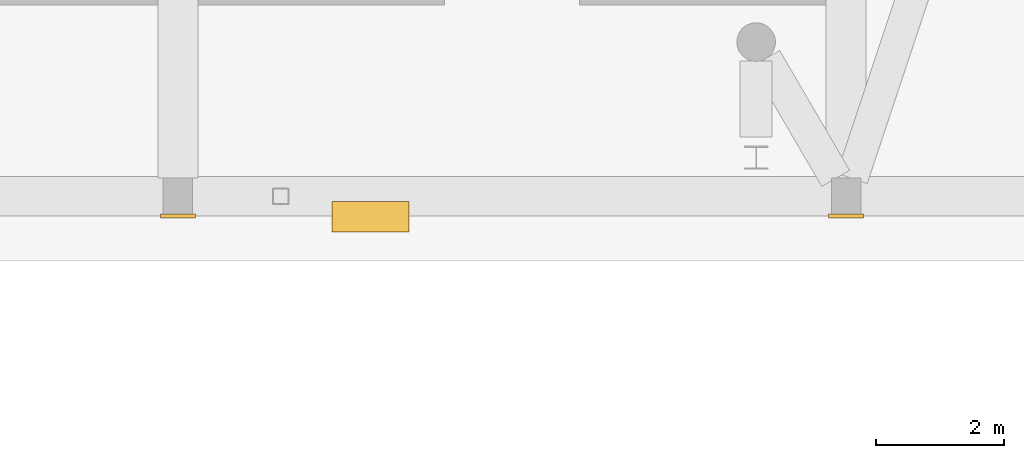
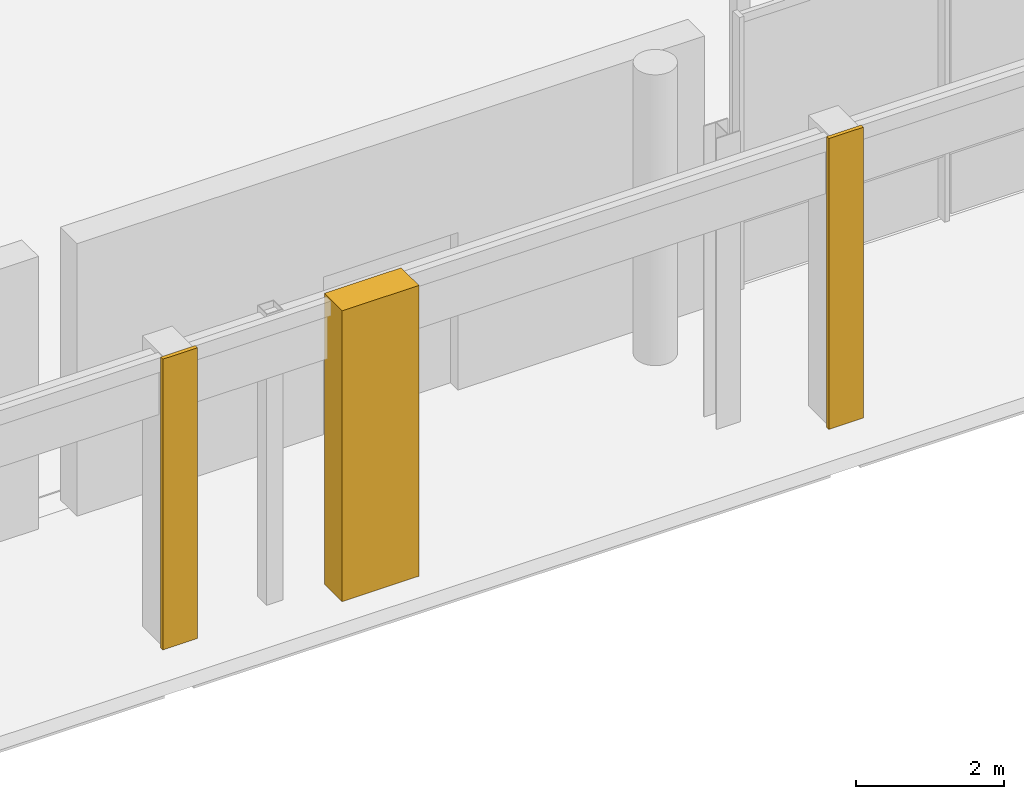
# One storey, part 80 of 88: 3 coverings.
"""IFC4 building model written with IfcOpenShell, lengths in metres."""

from ifc_helpers import new_model, si_unit, derived_unit, direction, frame, origin, origin_2d, place, context, subcontext, project, spatial, rectangle, extrude, material, layer, layer_set, type_object, element, save


model = new_model("IFC4")

# Units and contexts
model_context = context("Model", 3, precision=1e-05, world=origin(), true_north=direction((0.0, 1.0)))
body_context = subcontext(model_context, "Body", "Model", "MODEL_VIEW")
ifc_project = project(units=[si_unit("LENGTHUNIT", "METRE"), si_unit("AREAUNIT", "SQUARE_METRE"), si_unit("VOLUMEUNIT", "CUBIC_METRE"), si_unit("PLANEANGLEUNIT", "RADIAN"), si_unit("MASSUNIT", "GRAM", prefix="KILO"), derived_unit("THERMALTRANSMITTANCEUNIT", [(si_unit("POWERUNIT", "WATT"), 1), (si_unit("LENGTHUNIT", "METRE"), -2), (si_unit("THERMODYNAMICTEMPERATUREUNIT", "KELVIN"), -1)])], contexts=[model_context])

# Site, building, storey
site_placement = place(None, origin())
site = spatial("IfcSite", under=ifc_project, at=site_placement, CompositionType="ELEMENT")
building_placement = place(site_placement, origin())
building = spatial("IfcBuilding", under=site, at=building_placement, Name="Braskholm Square Health Centre", CompositionType="ELEMENT")
storey_placement = place(building_placement, origin())
storey = spatial("IfcBuildingStorey", under=building, at=storey_placement, Name="L01", CompositionType="ELEMENT", Elevation=0.0)

# Coverings
ifc_material_1 = material(Name="Mankato-Kasota dolomitic limestone ashlar", Category="masonry")
ifc_layer_1 = layer(ifc_material_1, 0.090087890625)
ifc_layer_set_1 = layer_set([ifc_layer_1], Name="Mankato-Kasota dolomitic limestone ashlar")
covering_type_1 = type_object("IfcCoveringType", Name="KasotaAshlarBaseCladding", PredefinedType="CLADDING", material=ifc_layer_set_1)
covering_placement = place(storey_placement, frame((92.199951171875, 86.8798828125, 0.0), z_axis=(0.0, 0.0, 1.0), x_axis=(1.0, 0.0, 0.0)))
element("IfcCovering", 1, at=covering_placement, inside=storey, type_object=covering_type_1, Name="Classical Art Deco architectural trim 0888", PredefinedType="CLADDING", context=body_context, shape_type="SweptSolid", body=[
    extrude(rectangle(XDim=1.199951171875, YDim=0.47998046875, at=origin_2d()), origin(), (0.0, 0.0, 1.0), 4.800048828125),
])
ifc_material_2 = material(Name="Precast concrete C40/50 architectural white", Category="concrete")
ifc_layer_2 = layer(ifc_material_2, 0.054931640625)
ifc_layer_set_2 = layer_set([ifc_layer_2], Name="Precast concrete C40/50 architectural white")
covering_type_2 = type_object("IfcCoveringType", Name="PrecastWhiteColumnCasing", PredefinedType="CLADDING", material=ifc_layer_set_2)
for number, where, z_axis, x_axis, name in (
    (2, (89.199951171875, 86.89501953125, 0.0), (0.0, 0.0, 1.0), (1.0, 0.0, 0.0), "Giant-order white precast column casing 0203"),
    (3, (99.60009765625, 86.89501953125, 0.0), (0.0, 0.0, 1.0), (1.0, 0.0, 0.0), "Giant-order white precast column casing 0206"),
):
    element("IfcCovering", number, at=place(storey_placement, frame(where, z_axis=z_axis, x_axis=x_axis)), inside=storey, type_object=covering_type_2, Name=name, PredefinedType="CLADDING", context=body_context, shape_type="SweptSolid", body=[
        extrude(rectangle(XDim=0.5400390625, YDim=0.06005859375, at=origin_2d()), origin(), (0.0, 0.0, 1.0), 4.800048828125),
    ])

save(model, "model.ifc")
